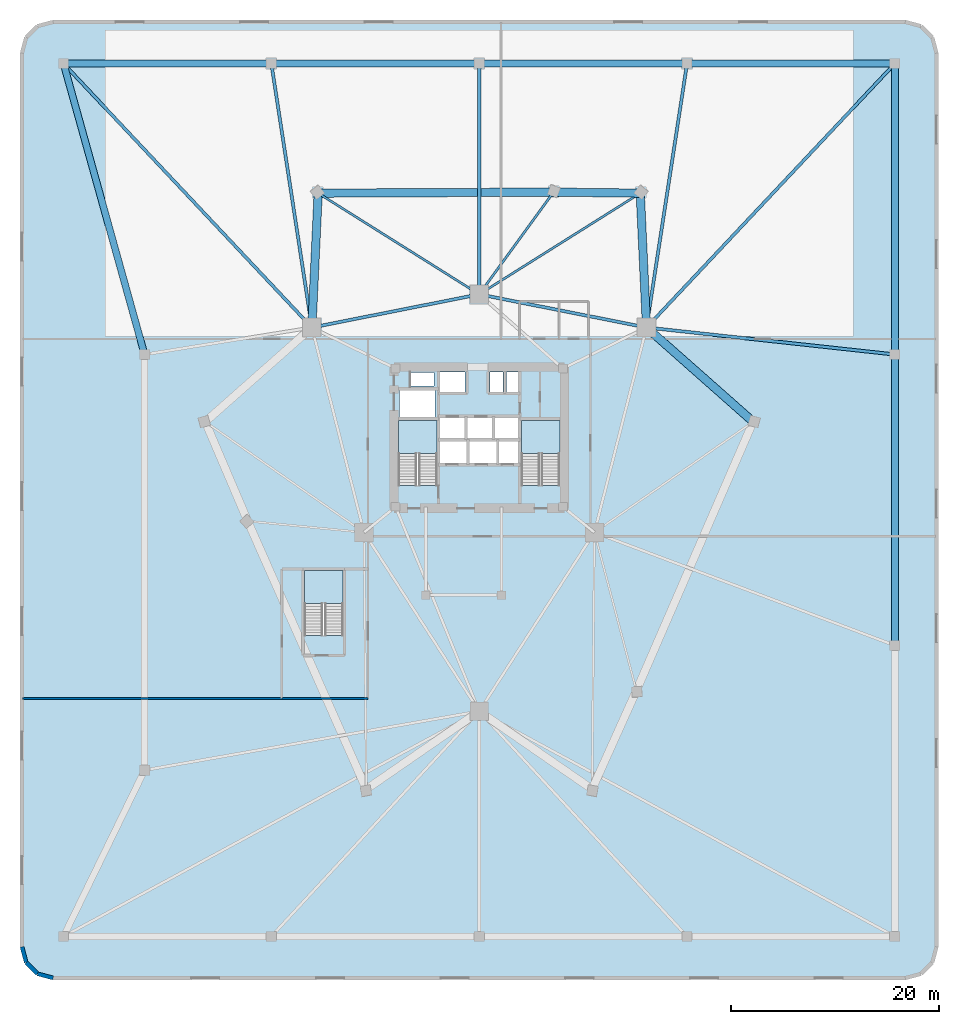
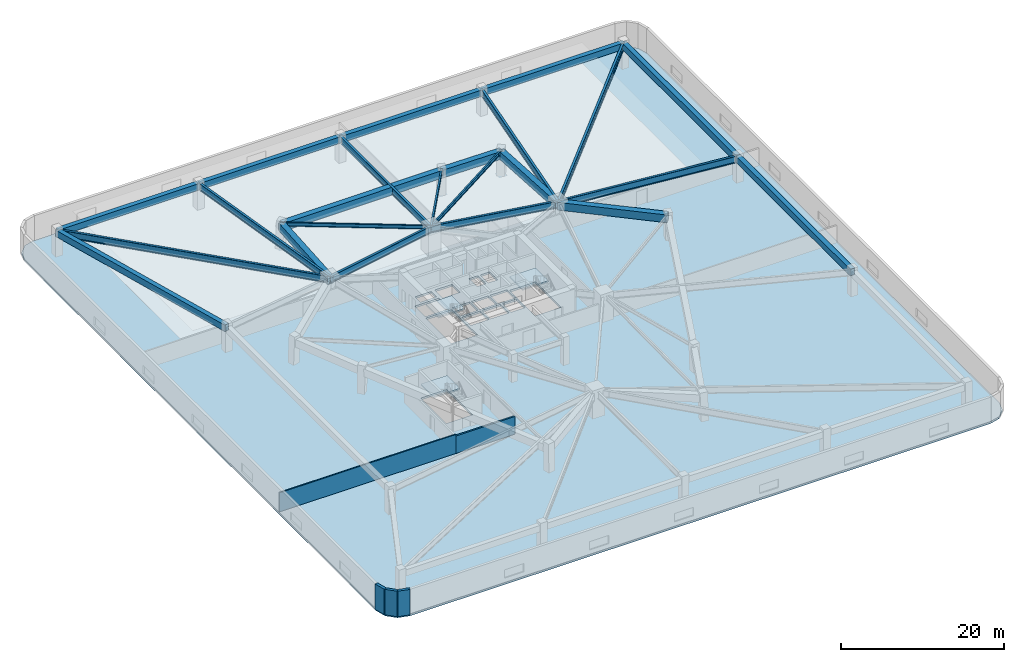
# One storey, part 2 of 10: 23 beams, 5 walls, 4 slabs, 3 elements without a shape of their own.
"""IFC4 building model written with IfcOpenShell, lengths in metres."""

from ifc_helpers import new_model, si_unit, direction, frame, frame_2d, origin, origin_2d, place, context, subcontext, project, spatial, polyline, rectangle, i_section, outline, extrude, material, layer, layer_set, material_profile, profile_set, type_object, element, aggregate, save


model = new_model("IFC4")

# Units and contexts
model_context = context("Model", 3, precision=1e-05, world=origin(), true_north=direction((0.0, 1.0)))
body_context = subcontext(model_context, "Body", "Model", "MODEL_VIEW")
ifc_project = project(units=[si_unit("LENGTHUNIT", "METRE"), si_unit("AREAUNIT", "SQUARE_METRE"), si_unit("VOLUMEUNIT", "CUBIC_METRE"), si_unit("PLANEANGLEUNIT", "RADIAN"), si_unit("MASSUNIT", "GRAM", prefix="KILO")], contexts=[model_context])

# Site, building, storey
site_placement = place(None, origin())
site = spatial("IfcSite", under=ifc_project, at=site_placement, CompositionType="ELEMENT")
building_placement = place(site_placement, origin())
building = spatial("IfcBuilding", under=site, at=building_placement, Name="Talyreon Biosciences Tower", CompositionType="ELEMENT")
storey_placement = place(building_placement, frame((0.0, 0.0, 18.60009765625)))
storey = spatial("IfcBuildingStorey", under=building, at=storey_placement, Name="L04", CompositionType="ELEMENT", Elevation=18.60009765625)

# Beams
ifc_material_1 = material(Name="Concrete C50/60", Category="concrete")
ifc_material_profile_1 = material_profile(ifc_material_1, rectangle(XDim=0.64990234375, YDim=0.949951171875, at=origin_2d()), Name="RCB 650x950")
ifc_profile_set_1 = profile_set([ifc_material_profile_1], Name="Concrete C50/60")
beam_type_1 = type_object("IfcBeamType", Name="PodiumGirder_650x950", PredefinedType="T_BEAM", material=ifc_profile_set_1)
for number, where, z_axis, x_axis, name in (
    (1, (106.0, 48.0, 3.324951171875), (0.0, 1.0, 0.0), (-1.0, 0.0, 0.0), "L04 Podium Perimeter Ring Girder 06"),
    (2, (106.0, 76.0, 3.324951171875), (0.0, 1.0, 0.0), (-1.0, 0.0, 0.0), "L04 Podium Perimeter Ring Girder 07"),
):
    element("IfcBeam", number, at=place(storey_placement, frame(where, z_axis=z_axis, x_axis=x_axis)), inside=storey, type_object=beam_type_1, Name=name, PredefinedType="T_BEAM", context=body_context, shape_type="SweptSolid", body=[
        extrude(rectangle(XDim=0.64990234375, YDim=0.949951171875, at=origin_2d()), origin(), (0.0, 0.0, 1.0), 28.0),
    ])
for number, where, z_axis, x_axis, name in (
    (3, (106.0, 104.0, 3.324951171875), (-1.0, 0.0, 0.0), (0.0, -1.0, 0.0), "L04 Podium Perimeter Ring Girder 08"),
    (4, (86.0, 104.0, 3.324951171875), (-1.0, 0.0, 0.0), (0.0, -1.0, 0.0), "L04 Podium Perimeter Ring Girder 09"),
    (5, (66.0, 104.0, 3.324951171875), (-1.0, 0.0, 0.0), (0.0, -1.0, 0.0), "L04 Podium Perimeter Ring Girder 10"),
    (6, (46.0, 104.0, 3.324951171875), (-1.0, 0.0, 0.0), (0.0, -1.0, 0.0), "L04 Podium Perimeter Ring Girder 11"),
):
    element("IfcBeam", number, at=place(storey_placement, frame(where, z_axis=z_axis, x_axis=x_axis)), inside=storey, type_object=beam_type_1, Name=name, PredefinedType="T_BEAM", context=body_context, shape_type="SweptSolid", body=[
        extrude(rectangle(XDim=0.64990234375, YDim=0.949951171875, at=origin_2d()), origin(), (0.0, 0.0, 1.0), 20.0),
    ])
beam_1_placement = place(storey_placement, frame((26.0, 104.0, 3.324951171875), z_axis=(0.268355123678, -0.963320054601, 0.0), x_axis=(0.963320054601, 0.268355123678, 0.0)))
element("IfcBeam", 7, at=beam_1_placement, inside=storey, type_object=beam_type_1, Name="L04 Podium Perimeter Ring Girder 12", PredefinedType="T_BEAM", context=body_context, shape_type="SweptSolid", body=[
    extrude(rectangle(XDim=0.64990234375, YDim=0.949951171875, at=origin_2d()), origin(), (0.0, 0.0, 1.0), 29.066162109375),
])
ifc_material_2 = material(Name="Steel SM420", Category="steel")
ifc_material_profile_2 = material_profile(ifc_material_2, i_section(OverallWidth=0.302001953125, OverallDepth=1.008056640625, WebThickness=0.02099609375, FlangeThickness=0.0400390625, FilletRadius=0.030029296875, at=origin_2d()), Name="HE1000M")
ifc_profile_set_2 = profile_set([ifc_material_profile_2], Name="Steel SM420")
beam_type_2 = type_object("IfcBeamType", Name="SteelGirder_HE1000M", PredefinedType="BEAM", material=ifc_profile_set_2)
for number, where, z_axis, x_axis, name in (
    (8, (82.102294921875, 78.5986328125, 3.2958984375), (-0.980933730698, 0.194342522311, 0.0), (-0.194342522311, -0.980933730698, 0.0), "L04 Mega-Ring Girder 3"),
    (9, (66.0, 81.788818359375, 3.2958984375), (-0.980933730698, -0.194342522311, 0.0), (0.194342522311, -0.980933730698, 0.0), "L04 Mega-Ring Girder 4"),
):
    element("IfcBeam", number, at=place(storey_placement, frame(where, z_axis=z_axis, x_axis=x_axis)), inside=storey, type_object=beam_type_2, Name=name, PredefinedType="BEAM", context=body_context, shape_type="SweptSolid", body=[
        extrude(i_section(OverallWidth=0.302001953125, OverallDepth=1.008056640625, WebThickness=0.02099609375, FlangeThickness=0.0400390625, FilletRadius=0.030029296875, at=origin_2d()), origin(), (0.0, 0.0, 1.0), 16.415283203125),
    ])
beam_2_placement = place(storey_placement, frame((82.102294921875, 78.5986328125, 3.2958984375), z_axis=(0.994139742168, -0.108102604236, 0.0), x_axis=(0.108102604236, 0.994139742168, 0.0)))
element("IfcBeam", 10, at=beam_2_placement, inside=storey, type_object=beam_type_2, Name="L04 Podium Radial Tie Girder PDC07", PredefinedType="BEAM", context=body_context, shape_type="SweptSolid", body=[
    extrude(i_section(OverallWidth=0.302001953125, OverallDepth=1.008056640625, WebThickness=0.02099609375, FlangeThickness=0.0400390625, FilletRadius=0.030029296875, at=origin_2d()), origin(), (0.0, 0.0, 1.0), 24.03857421875),
])
beam_3_placement = place(storey_placement, frame((82.102294921875, 78.5986328125, 3.2958984375), z_axis=(0.685220788465, 0.728335411095, 0.0), x_axis=(-0.728335411095, 0.685220788465, 0.0)))
element("IfcBeam", 11, at=beam_3_placement, inside=storey, type_object=beam_type_2, Name="L04 Podium Radial Tie Girder PDC08", PredefinedType="BEAM", context=body_context, shape_type="SweptSolid", body=[
    extrude(i_section(OverallWidth=0.302001953125, OverallDepth=1.008056640625, WebThickness=0.02099609375, FlangeThickness=0.0400390625, FilletRadius=0.030029296875, at=origin_2d()), origin(), (0.0, 0.0, 1.0), 34.8759765625),
])
beam_4_placement = place(storey_placement, frame((82.102294921875, 78.5986328125, 3.2958984375), z_axis=(0.151669534412, 0.988431258273, 0.0), x_axis=(-0.988431258273, 0.151669534412, 0.0)))
element("IfcBeam", 12, at=beam_4_placement, inside=storey, type_object=beam_type_2, Name="L04 Podium Radial Tie Girder PDC09", PredefinedType="BEAM", context=body_context, shape_type="SweptSolid", body=[
    extrude(i_section(OverallWidth=0.302001953125, OverallDepth=1.008056640625, WebThickness=0.02099609375, FlangeThickness=0.0400390625, FilletRadius=0.030029296875, at=origin_2d()), origin(), (0.0, 0.0, 1.0), 25.69873046875),
])
beam_5_placement = place(storey_placement, frame((66.0, 81.788818359375, 3.2958984375), z_axis=(0.0, 1.0, 0.0), x_axis=(-1.0, 0.0, 0.0)))
element("IfcBeam", 13, at=beam_5_placement, inside=storey, type_object=beam_type_2, Name="L04 Podium Radial Tie Girder PDC10", PredefinedType="BEAM", context=body_context, shape_type="SweptSolid", body=[
    extrude(i_section(OverallWidth=0.302001953125, OverallDepth=1.008056640625, WebThickness=0.02099609375, FlangeThickness=0.0400390625, FilletRadius=0.030029296875, at=origin_2d()), origin(), (0.0, 0.0, 1.0), 22.211181640625),
])
beam_6_placement = place(storey_placement, frame((49.897705078125, 78.5986328125, 3.2958984375), z_axis=(-0.151669534412, 0.988431258273, 0.0), x_axis=(-0.988431258273, -0.151669534412, 0.0)))
element("IfcBeam", 14, at=beam_6_placement, inside=storey, type_object=beam_type_2, Name="L04 Podium Radial Tie Girder PDC11", PredefinedType="BEAM", context=body_context, shape_type="SweptSolid", body=[
    extrude(i_section(OverallWidth=0.302001953125, OverallDepth=1.008056640625, WebThickness=0.02099609375, FlangeThickness=0.0400390625, FilletRadius=0.030029296875, at=origin_2d()), origin(), (0.0, 0.0, 1.0), 25.69873046875),
])
beam_7_placement = place(storey_placement, frame((49.897705078125, 78.5986328125, 3.2958984375), z_axis=(-0.685220788465, 0.728335411095, 0.0), x_axis=(-0.728335411095, -0.685220788465, 0.0)))
element("IfcBeam", 15, at=beam_7_placement, inside=storey, type_object=beam_type_2, Name="L04 Podium Radial Tie Girder PDC12", PredefinedType="BEAM", context=body_context, shape_type="SweptSolid", body=[
    extrude(i_section(OverallWidth=0.302001953125, OverallDepth=1.008056640625, WebThickness=0.02099609375, FlangeThickness=0.0400390625, FilletRadius=0.030029296875, at=origin_2d()), origin(), (0.0, 0.0, 1.0), 34.8759765625),
])
ifc_material_3 = material(Name="Steel SM355", Category="steel")
ifc_material_profile_3 = material_profile(ifc_material_3, i_section(OverallWidth=0.2099609375, OverallDepth=0.550048828125, WebThickness=0.010986328125, FlangeThickness=0.01708984375, FilletRadius=0.02392578125, at=origin_2d()), Name="IPE550")
ifc_profile_set_3 = profile_set([ifc_material_profile_3], Name="Steel SM355")
beam_type_3 = type_object("IfcBeamType", Name="SteelJoist_IPE550", PredefinedType="JOIST", material=ifc_profile_set_3)
for number, where, z_axis, x_axis, name in (
    (16, (66.0, 81.788818359375, 3.52490234375), (0.846700767436, 0.532069366176, 0.0), (-0.532069366176, 0.846700767436, 0.0), "L04 Radial Composite Floor Joist PC-N1"),
    (17, (66.0, 81.788818359375, 3.52490234375), (-0.846700767436, 0.532069366176, 0.0), (-0.532069366176, -0.846700767436, 0.0), "L04 Radial Composite Floor Joist PC-N2"),
):
    element("IfcBeam", number, at=place(storey_placement, frame(where, z_axis=z_axis, x_axis=x_axis)), inside=storey, type_object=beam_type_3, Name=name, PredefinedType="JOIST", context=body_context, shape_type="SweptSolid", body=[
        extrude(i_section(OverallWidth=0.2099609375, OverallDepth=0.550048828125, WebThickness=0.010986328125, FlangeThickness=0.01708984375, FilletRadius=0.02392578125, at=origin_2d()), origin(), (0.0, 0.0, 1.0), 18.3017578125),
    ])
ifc_material_profile_4 = material_profile(ifc_material_3, i_section(OverallWidth=0.219970703125, OverallDepth=0.60009765625, WebThickness=0.011962890625, FlangeThickness=0.01904296875, FilletRadius=0.02392578125, at=origin_2d()), Name="IPE600")
ifc_profile_set_4 = profile_set([ifc_material_profile_4], Name="Steel SM355")
beam_type_4 = type_object("IfcBeamType", Name="SteelJoist_IPE600", PredefinedType="JOIST", material=ifc_profile_set_4)
beam_8_placement = place(storey_placement, frame((66.0, 81.788818359375, 3.5), z_axis=(0.588034434243, 0.808835894446, 0.0), x_axis=(-0.808835894446, 0.588034434243, 0.0)))
element("IfcBeam", 18, at=beam_8_placement, inside=storey, type_object=beam_type_4, Name="L04 Radial Composite Floor Joist PL-N", PredefinedType="JOIST", context=body_context, shape_type="SweptSolid", body=[
    extrude(i_section(OverallWidth=0.219970703125, OverallDepth=0.60009765625, WebThickness=0.011962890625, FlangeThickness=0.01904296875, FilletRadius=0.02392578125, at=origin_2d()), origin(), (0.0, 0.0, 1.0), 12.162841796875),
])
ifc_material_profile_5 = material_profile(ifc_material_1, rectangle(XDim=0.800048828125, YDim=1.14990234375, at=origin_2d()), Name="RCB 800x1150")
ifc_profile_set_5 = profile_set([ifc_material_profile_5], Name="Concrete C50/60")
beam_type_5 = type_object("IfcBeamType", Name="StepTransferSpandrel_800x1150", PredefinedType="SPANDREL", material=ifc_profile_set_5)
beam_9_placement = place(storey_placement, frame((92.357421875, 69.531005859375, 3.224853515625), z_axis=(-0.749149388735, 0.662401081942, 0.0), x_axis=(-0.662401081942, -0.749149388735, 0.0)))
element("IfcBeam", 19, at=beam_9_placement, inside=storey, type_object=beam_type_5, Name="L04 Expressed Horizontal Concrete Spandrel 04", PredefinedType="SPANDREL", context=body_context, shape_type="SweptSolid", body=[
    extrude(rectangle(XDim=0.800048828125, YDim=1.14990234375, at=origin_2d()), origin(), (0.0, 0.0, 1.0), 13.68896484375),
])
beam_10_placement = place(storey_placement, frame((82.102294921875, 78.5986328125, 3.224853515625), z_axis=(-0.046839173747, 0.998902443586, 0.0), x_axis=(-0.998902443586, -0.046839173747, 0.0)))
element("IfcBeam", 20, at=beam_10_placement, inside=storey, type_object=beam_type_5, Name="L04 Expressed Horizontal Concrete Spandrel 05", PredefinedType="SPANDREL", context=body_context, shape_type="SweptSolid", body=[
    extrude(rectangle(XDim=0.800048828125, YDim=1.14990234375, at=origin_2d()), origin(), (0.0, 0.0, 1.0), 12.942138671875),
])
beam_11_placement = place(storey_placement, frame((81.49609375, 91.526611328125, 3.224853515625), z_axis=(-0.999928401801, 0.011966255562, 0.0), x_axis=(-0.011966255562, -0.999928401801, 0.0)))
element("IfcBeam", 21, at=beam_11_placement, inside=storey, type_object=beam_type_5, Name="L04 Expressed Horizontal Concrete Spandrel 06", PredefinedType="SPANDREL", context=body_context, shape_type="SweptSolid", body=[
    extrude(rectangle(XDim=0.800048828125, YDim=1.14990234375, at=origin_2d()), origin(), (0.0, 0.0, 1.0), 8.344482421875),
])
beam_12_placement = place(storey_placement, frame((73.152099609375, 91.62646484375, 3.224853515625), z_axis=(-0.999990280962, -0.004408852554, 0.0), x_axis=(0.004408852554, -0.999990280962, 0.0)))
element("IfcBeam", 22, at=beam_12_placement, inside=storey, type_object=beam_type_5, Name="L04 Expressed Horizontal Concrete Spandrel 07", PredefinedType="SPANDREL", context=body_context, shape_type="SweptSolid", body=[
    extrude(rectangle(XDim=0.800048828125, YDim=1.14990234375, at=origin_2d()), origin(), (0.0, 0.0, 1.0), 22.6484375),
])
beam_13_placement = place(storey_placement, frame((50.50390625, 91.526611328125, 3.224853515625), z_axis=(-0.046839173747, -0.998902443586, 0.0), x_axis=(0.998902443586, -0.046839173747, 0.0)))
element("IfcBeam", 23, at=beam_13_placement, inside=storey, type_object=beam_type_5, Name="L04 Expressed Horizontal Concrete Spandrel 08", PredefinedType="SPANDREL", context=body_context, shape_type="SweptSolid", body=[
    extrude(rectangle(XDim=0.800048828125, YDim=1.14990234375, at=origin_2d()), origin(), (0.0, 0.0, 1.0), 12.942138671875),
])

# Slab
ifc_material_4 = material(Name="Concrete C40/50", Category="concrete")
ifc_layer_1 = layer(ifc_material_4, 0.300048828125)
ifc_layer_set_1 = layer_set([ifc_layer_1], Name="Concrete C40/50")
slab_type_1 = type_object("IfcSlabType", Name="PodiumFloorSlab_300", PredefinedType="FLOOR", material=ifc_layer_set_1)
slab_1_placement = place(storey_placement, frame((0.0, 0.0, -0.300048828125)))
element("IfcSlab", 24, at=slab_1_placement, inside=storey, type_object=slab_type_1, Name="L04 Structural Floor Slab", PredefinedType="FLOOR", context=body_context, shape_type="SweptSolid", body=[
    extrude(outline(polyline([(107.0, 16.0), (25.0, 16.0), (23.5, 16.40185546875), (22.40185546875, 17.5), (22.0, 19.0), (22.0, 105.0), (22.40185546875, 106.5), (23.5, 107.59814453125), (25.0, 108.0), (107.0, 108.0), (108.5, 107.59814453125), (109.59814453125, 106.5), (110.0, 105.0), (110.0, 19.0), (109.59814453125, 17.5), (108.5, 16.40185546875), (107.0, 16.0)]), holes=[polyline([(52.8798828125, 55.199951171875), (52.8798828125, 48.9580078125), (49.199951171875, 48.9580078125), (49.199951171875, 55.199951171875), (52.8798828125, 55.199951171875)]), polyline([(61.929931640625, 63.407958984375), (58.25, 63.407958984375), (58.25, 69.64990234375), (61.929931640625, 69.64990234375), (61.929931640625, 63.407958984375)]), polyline([(64.800048828125, 65.550048828125), (62.199951171875, 65.550048828125), (62.199951171875, 67.64990234375), (64.800048828125, 67.64990234375), (64.800048828125, 65.550048828125)]), polyline([(64.60009765625, 67.949951171875), (62.199951171875, 67.949951171875), (62.199951171875, 69.949951171875), (64.60009765625, 69.949951171875), (64.60009765625, 67.949951171875)]), polyline([(61.75, 69.97998046875), (58.35009765625, 69.97998046875), (58.35009765625, 72.550048828125), (61.75, 72.550048828125), (61.75, 69.97998046875)]), polyline([(64.64990234375, 72.35009765625), (62.199951171875, 72.35009765625), (62.199951171875, 74.300048828125), (64.64990234375, 74.300048828125), (64.64990234375, 72.35009765625)]), polyline([(61.64990234375, 72.9599609375), (59.39990234375, 72.9599609375), (59.39990234375, 74.25), (61.64990234375, 74.25), (61.64990234375, 72.9599609375)]), polyline([(73.75, 69.64990234375), (73.75, 63.407958984375), (70.070068359375, 63.407958984375), (70.070068359375, 69.64990234375), (73.75, 69.64990234375)]), polyline([(67.64990234375, 65.550048828125), (65.050048828125, 65.550048828125), (65.050048828125, 67.64990234375), (67.64990234375, 67.64990234375), (67.64990234375, 65.550048828125)]), polyline([(69.89990234375, 65.550048828125), (67.89990234375, 65.550048828125), (67.89990234375, 67.64990234375), (69.89990234375, 67.64990234375), (69.89990234375, 65.550048828125)]), polyline([(67.25, 67.949951171875), (64.85009765625, 67.949951171875), (64.85009765625, 69.949951171875), (67.25, 69.949951171875), (67.25, 67.949951171875)]), polyline([(69.89990234375, 67.949951171875), (67.5, 67.949951171875), (67.5, 69.949951171875), (69.89990234375, 69.949951171875), (69.89990234375, 67.949951171875)]), polyline([(68.300048828125, 72.35009765625), (67.050048828125, 72.35009765625), (67.050048828125, 74.300048828125), (68.300048828125, 74.300048828125), (68.300048828125, 72.35009765625)]), polyline([(69.919921875, 72.35009765625), (68.6201171875, 72.35009765625), (68.6201171875, 74.300048828125), (69.919921875, 74.300048828125), (69.919921875, 72.35009765625)])]), origin(), (0.0, 0.0, 1.0), 0.300048828125),
])

# Stair, slab
stair_type = type_object("IfcStairType", Name="DoglegEscapeStair_4200", PredefinedType="HALF_TURN_STAIR", material=ifc_material_4)
stair_1_placement = place(storey_placement, origin())
stair_1 = element("IfcStair", 25, at=stair_1_placement, inside=storey, type_object=stair_type, Name="L04 Core Escape Stair 1", PredefinedType="HALF_TURN_STAIR")
ifc_layer_2 = layer(ifc_material_4, 0.199951171875)
ifc_layer_set_2 = layer_set([ifc_layer_2], Name="Concrete C40/50")
slab_type_2 = type_object("IfcSlabType", Name="StairLandingSlab_200", PredefinedType="LANDING", material=ifc_layer_set_2)
slab_2_placement = place(storey_placement, frame((0.0, 0.0, 1.89990234375)))
slab_2 = element("IfcSlab", 26, at=slab_2_placement, type_object=slab_type_2, Name="ST-1 landing 1", PredefinedType="LANDING", context=body_context, shape_type="SweptSolid", body=[
    extrude(outline(polyline([(61.929931640625, 66.47998046875), (61.929931640625, 69.64990234375), (58.25, 69.64990234375), (58.25, 66.47998046875), (61.929931640625, 66.47998046875)])), origin(), (0.0, 0.0, 1.0), 0.199951171875),
])
aggregate(stair_1, [slab_2])

stair_2_placement = place(storey_placement, origin())
stair_2 = element("IfcStair", 27, at=stair_2_placement, inside=storey, type_object=stair_type, Name="L04 Core Escape Stair 2", PredefinedType="HALF_TURN_STAIR")
slab_3_placement = place(storey_placement, frame((0.0, 0.0, 1.89990234375)))
slab_3 = element("IfcSlab", 28, at=slab_3_placement, type_object=slab_type_2, Name="ST-2 landing 1", PredefinedType="LANDING", context=body_context, shape_type="SweptSolid", body=[
    extrude(outline(polyline([(73.75, 66.47998046875), (73.75, 69.64990234375), (70.070068359375, 69.64990234375), (70.070068359375, 66.47998046875), (73.75, 66.47998046875)])), origin(), (0.0, 0.0, 1.0), 0.199951171875),
])
aggregate(stair_2, [slab_3])

stair_3_placement = place(storey_placement, origin())
stair_3 = element("IfcStair", 29, at=stair_3_placement, inside=storey, type_object=stair_type, Name="L04 Podium Escape Stair 3", PredefinedType="HALF_TURN_STAIR")
slab_4_placement = place(storey_placement, frame((0.0, 0.0, 1.89990234375)))
slab_4 = element("IfcSlab", 30, at=slab_4_placement, type_object=slab_type_2, Name="ST-3 landing 1", PredefinedType="LANDING", context=body_context, shape_type="SweptSolid", body=[
    extrude(outline(polyline([(52.8798828125, 52.030029296875), (52.8798828125, 55.199951171875), (49.199951171875, 55.199951171875), (49.199951171875, 52.030029296875), (52.8798828125, 52.030029296875)])), origin(), (0.0, 0.0, 1.0), 0.199951171875),
])
aggregate(stair_3, [slab_4])

# Walls
ifc_material_5 = material(Name="Gypsum fireboard acoustic stud", Category="gypsum")
ifc_layer_3 = layer(ifc_material_5, 0.219970703125)
ifc_layer_set_3 = layer_set([ifc_layer_3], Name="Gypsum fireboard acoustic stud")
wall_type_1 = type_object("IfcWallType", Name="CorridorRatedPartition_220", PredefinedType="PARTITIONING", material=ifc_layer_set_3)
wall_1_placement = place(storey_placement, frame((47.0, 42.89990234375, 0.0), z_axis=(0.0, 0.0, 1.0), x_axis=(1.0, 0.0, 0.0)))
element("IfcWall", 31, at=wall_1_placement, inside=storey, type_object=wall_type_1, Name="L04 Interior Wall IW-L04-SCORS", PredefinedType="PARTITIONING", context=body_context, shape_type="SweptSolid", body=[
    extrude(rectangle(XDim=8.300048828125, YDim=0.219970703125, at=frame_2d((4.14990234375, 0.0))), origin(), (0.0, 0.0, 1.0), 2.6298828125),
])
ifc_material_6 = material(Name="Gypsum acoustic stud partition", Category="gypsum")
ifc_layer_4 = layer(ifc_material_6, 0.159912109375)
ifc_layer_set_4 = layer_set([ifc_layer_4], Name="Gypsum acoustic stud partition")
wall_type_2 = type_object("IfcWallType", Name="LabSeparationPartition_160", PredefinedType="PARTITIONING", material=ifc_layer_set_4)
wall_2_placement = place(storey_placement, frame((22.0849609375, 42.89990234375, 0.0), z_axis=(0.0, 0.0, 1.0), x_axis=(1.0, 0.0, 0.0)))
element("IfcWall", 32, at=wall_2_placement, inside=storey, type_object=wall_type_2, Name="L04 Interior Wall IW-L04-SWW", PredefinedType="PARTITIONING", context=body_context, shape_type="SweptSolid", body=[
    extrude(rectangle(XDim=24.9150390625, YDim=0.159912109375, at=frame_2d((12.45751953125, 0.0))), origin(), (0.0, 0.0, 1.0), 2.829833984375),
])
ifc_material_7 = material(Name="Precast concrete C45/55", Category="concrete")
ifc_layer_5 = layer(ifc_material_7, 0.3798828125)
ifc_layer_set_5 = layer_set([ifc_layer_5], Name="Precast concrete C45/55")
wall_type_3 = type_object("IfcWallType", Name="PrecastConcretePodiumWall_380", PredefinedType="STANDARD", material=ifc_layer_set_5)
for number, where, z_axis, x_axis, name in (
    (33, (25.0, 16.0, 0.0), (0.0, 0.0, 1.0), (-0.965936824201, 0.258777996848, 0.0), "L04 Podium Concrete Frame Wall 02"),
    (34, (23.5, 16.40185546875, 0.0), (0.0, 0.0, 1.0), (-0.707106781187, 0.707106781187, 0.0), "L04 Podium Concrete Frame Wall 03"),
    (35, (22.40185546875, 17.5, 0.0), (0.0, 0.0, 1.0), (-0.258777996848, 0.965936824201, 0.0), "L04 Podium Concrete Frame Wall 04"),
):
    element("IfcWall", number, at=place(storey_placement, frame(where, z_axis=z_axis, x_axis=x_axis)), inside=storey, type_object=wall_type_3, Name=name, PredefinedType="STANDARD", context=body_context, shape_type="SweptSolid", body=[
        extrude(rectangle(XDim=1.552978515625, YDim=0.3798828125, at=frame_2d((0.7763671875, 0.0))), origin(), (0.0, 0.0, 1.0), 3.7998046875),
    ])

save(model, "model.ifc")
